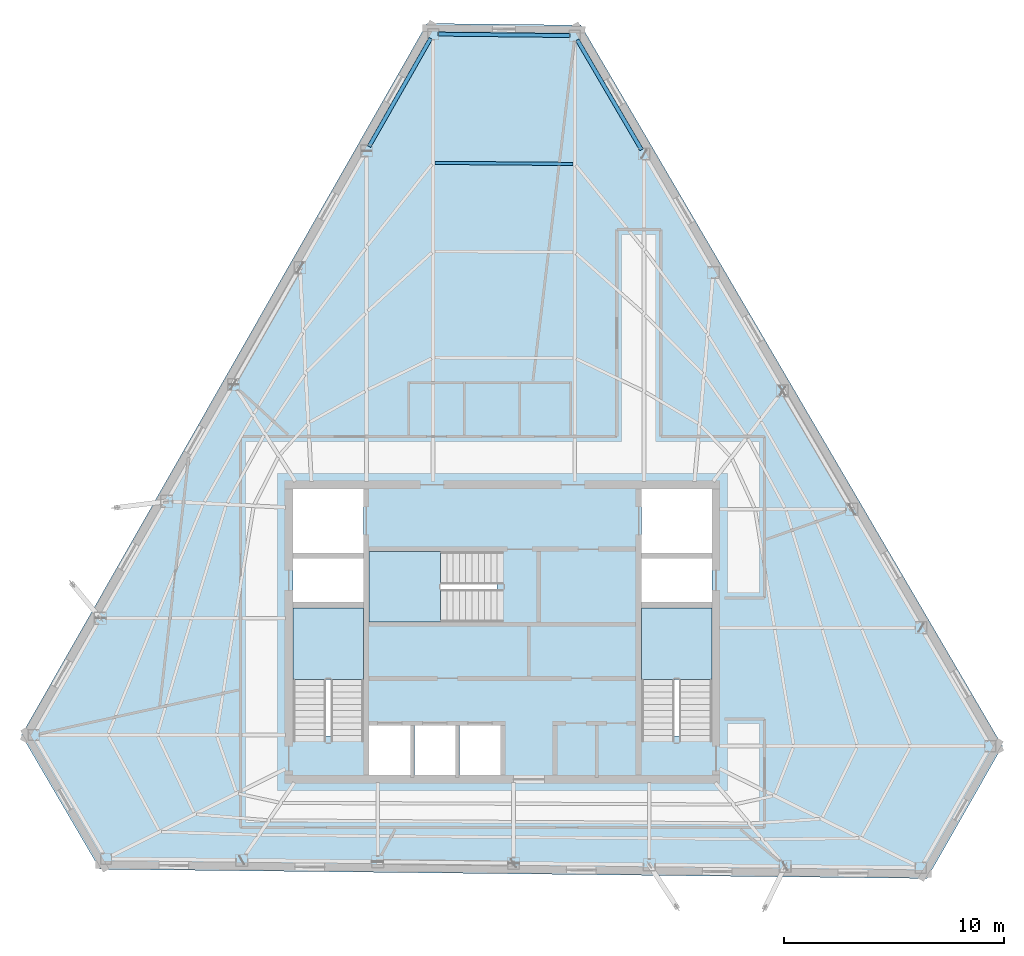
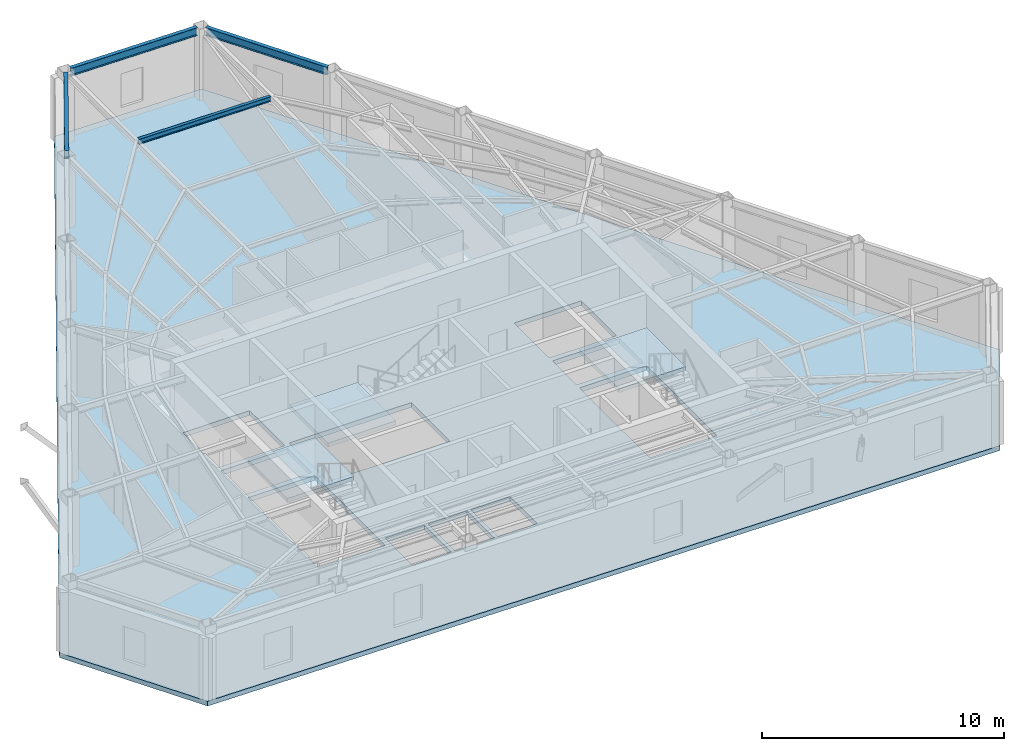
# One storey, part 3 of 11: 4 beams, 4 slabs, 3 elements without a shape of their own.
"""IFC4 building model written with IfcOpenShell, lengths in metres."""

import ifcopenshell
import ifcopenshell.guid

model = None  # the IFC model being written
_history = None  # IfcOwnerHistory: only IFC2X3 demands one
_inside = {}  # id of a spatial element -> (the spatial element, [elements in it])
_under = {}  # id of a project, library or spatial element -> (it, [spatial elements below it])
_declared = {}  # id of a project -> (the project, [libraries it declares])
_typed = {}  # id of a type object -> (the type object, [elements of that type])
_made_of = {}  # id of a material, layer set ... -> (it, [elements and type objects made of it])


def new_model(schema):
    """Start an empty IFC model of exactly this schema.

    Asked for "IFC4X3", IfcOpenShell would pick the latest addendum, in which some entities
    have other attributes; the version numbers below select the first issue.
    IFC2X3 requires an IfcOwnerHistory on every rooted entity: one is made here for all.
    """
    global model, _history
    if schema == "IFC4X3":
        model = ifcopenshell.file(schema_version=(4, 3, 0, 0))
    else:
        model = ifcopenshell.file(schema=schema)
    _inside.clear()
    _under.clear()
    _declared.clear()
    _typed.clear()
    _made_of.clear()
    _history = None
    if model.schema == "IFC2X3":
        org = make("IfcOrganization", Name="unknown")
        user = make(
            "IfcPersonAndOrganization",
            ThePerson=make("IfcPerson", FamilyName="unknown"),
            TheOrganization=org,
        )
        app = make(
            "IfcApplication",
            ApplicationDeveloper=org,
            Version="unknown",
            ApplicationFullName="unknown",
            ApplicationIdentifier="unknown",
        )
        _history = make(
            "IfcOwnerHistory",
            OwningUser=user,
            OwningApplication=app,
            ChangeAction="ADDED",
            CreationDate=0,
        )
    return model


def make(cls, **values):
    """One entity of the class cls with the attributes given. An attribute that is None is left unset."""
    return model.create_entity(
        cls, **{name: value for name, value in values.items() if value is not None}
    )


def rooted(cls, **values):
    """An entity with a GlobalId (a new one), such as an element, a storey or a relation."""
    return make(cls, GlobalId=ifcopenshell.guid.new(), OwnerHistory=_history, **values)


def si_unit(unit_type, name, prefix=None):
    """IfcSIUnit, for example si_unit("LENGTHUNIT", "METRE", prefix="MILLI")."""
    return make("IfcSIUnit", UnitType=unit_type, Prefix=prefix, Name=name)


def assignment(units):
    """IfcUnitAssignment: the units of a project."""
    return None if units is None else make("IfcUnitAssignment", Units=units)


def point(xyz):
    """IfcCartesianPoint."""
    return None if xyz is None else make("IfcCartesianPoint", Coordinates=xyz)


def direction(xyz):
    """IfcDirection."""
    return None if xyz is None else make("IfcDirection", DirectionRatios=xyz)


def frame(location, z_axis=None, x_axis=None):
    """IfcAxis2Placement3D, a coordinate frame: its origin and axes. An axis left out is left unset."""
    return make(
        "IfcAxis2Placement3D",
        Location=point(location),
        Axis=direction(z_axis),
        RefDirection=direction(x_axis),
    )


def frame_2d(location, x_axis=None):
    """IfcAxis2Placement2D, a coordinate frame in the plane: its origin and x axis."""
    return make(
        "IfcAxis2Placement2D", Location=point(location), RefDirection=direction(x_axis)
    )


def origin():
    """The frame at (0, 0, 0) with its axes left unset."""
    return frame((0.0, 0.0, 0.0))


def origin_2d():
    """The frame at (0, 0) in the plane with its x axis left unset."""
    return frame_2d((0.0, 0.0))


def place(relative_to, where):
    """IfcLocalPlacement: puts the frame where relative to a parent placement (None: the world)."""
    return make(
        "IfcLocalPlacement", PlacementRelTo=relative_to, RelativePlacement=where
    )


def context(
    kind, dimensions, precision=None, world=None, true_north=None, identifier=None
):
    """IfcGeometricRepresentationContext, for example the 3D "Model" context."""
    return make(
        "IfcGeometricRepresentationContext",
        ContextIdentifier=identifier,
        ContextType=kind,
        CoordinateSpaceDimension=dimensions,
        Precision=precision,
        WorldCoordinateSystem=world,
        TrueNorth=true_north,
    )


def subcontext(parent, identifier, kind, view, scale=None):
    """IfcGeometricRepresentationSubContext, for example "Body" below "Model"."""
    return make(
        "IfcGeometricRepresentationSubContext",
        ContextIdentifier=identifier,
        ContextType=kind,
        ParentContext=parent,
        TargetScale=scale,
        TargetView=view,
    )


def project(units=None, contexts=None):
    """IfcProject with its units and contexts."""
    return rooted(
        "IfcProject",
        Name="project",
        RepresentationContexts=contexts,
        UnitsInContext=assignment(units),
    )


def spatial(cls, under=None, at=None, **own):
    """A site, building, storey or space (cls), placed at a placement, below another one or the project."""
    s = rooted(cls, ObjectPlacement=at, **own)
    if under is not None:
        _under.setdefault(under.id(), (under, []))[1].append(s)
    return s


def polyline(points):
    """IfcPolyline through the points."""
    return make("IfcPolyline", Points=[point(p) for p in points])


def profile(cls, at=None, kind="AREA", **sizes):
    """A parametric profile (cls). Its sizes go by their IFC names, for example OverallWidth=200.0."""
    return make(cls, ProfileType=kind, Position=at, **sizes)


def i_section(**sizes):
    """IfcIShapeProfileDef."""
    return profile("IfcIShapeProfileDef", **sizes)


def outline(outer, holes=None, kind="AREA"):
    """IfcArbitraryClosedProfileDef: a profile drawn as a closed curve; with holes, ...WithVoids."""
    if holes is None:
        return make("IfcArbitraryClosedProfileDef", ProfileType=kind, OuterCurve=outer)
    return make(
        "IfcArbitraryProfileDefWithVoids",
        ProfileType=kind,
        OuterCurve=outer,
        InnerCurves=holes,
    )


def extrude(swept, where, along, depth):
    """IfcExtrudedAreaSolid: the profile swept, set in the frame where, extruded along a direction by depth."""
    return make(
        "IfcExtrudedAreaSolid",
        SweptArea=swept,
        Position=where,
        ExtrudedDirection=direction(along),
        Depth=depth,
    )


def shape(context_of_items, identifier, shape_type, items):
    """IfcShapeRepresentation: the items that make up one representation, for example the "Body"."""
    return make(
        "IfcShapeRepresentation",
        ContextOfItems=context_of_items,
        RepresentationIdentifier=identifier,
        RepresentationType=shape_type,
        Items=items,
    )


def material(Name=None, Category=None):
    """IfcMaterial."""
    return make("IfcMaterial", Name=Name, Category=Category)


def layer(
    of_material, thickness, ventilated=None, Name=None, Category=None, Priority=None
):
    """IfcMaterialLayer: one layer of a wall or slab, of a material (None: an air gap)."""
    return make(
        "IfcMaterialLayer",
        Material=of_material,
        LayerThickness=thickness,
        IsVentilated=ventilated,
        Name=Name,
        Category=Category,
        Priority=Priority,
    )


def layer_set(layers, Name=None):
    """IfcMaterialLayerSet."""
    return make("IfcMaterialLayerSet", MaterialLayers=layers, LayerSetName=Name)


def material_profile(
    of_material, cross_section, Name=None, Category=None, Priority=None
):
    """IfcMaterialProfile: a cross section and its material."""
    return make(
        "IfcMaterialProfile",
        Name=Name,
        Material=of_material,
        Profile=cross_section,
        Priority=Priority,
        Category=Category,
    )


def profile_set(profiles, Name=None, composite=None):
    """IfcMaterialProfileSet."""
    return make(
        "IfcMaterialProfileSet",
        Name=Name,
        MaterialProfiles=profiles,
        CompositeProfile=composite,
    )


def made_of(thing, what):
    """Note that an element or type object is made of a material, layer set ...; save() writes the relation."""
    if what is not None:
        _made_of.setdefault(what.id(), (what, []))[1].append(thing)
    return thing


def type_object(cls, material=None, **own):
    """A type object (cls), such as IfcWallType, which elements share."""
    return made_of(rooted(cls, **own), material)


def element(
    cls,
    number,
    at=None,
    inside=None,
    cuts=None,
    type_object=None,
    material=None,
    context=None,
    identifier="Body",
    shape_type=None,
    held_by="IfcProductDefinitionShape",
    body=None,
    shapes=None,
    **own,
):
    """One element of the class cls, such as IfcWall. Its Tag is "e" and its number.

    at: its placement. inside: the storey or other place that contains it. cuts: it is an
    opening in that element (IfcRelVoidsElement). A single representation is given by context,
    identifier, shape_type and body (its items); several are given by shapes. held_by: the class
    of the entity that holds the representations. save() writes the other relations.
    """
    e = rooted(cls, Tag="e%d" % number, ObjectPlacement=at, **own)
    if body is not None:
        shapes = [shape(context, identifier, shape_type, body)]
    if shapes is not None:
        e.Representation = make(held_by, Representations=shapes)
    if inside is not None:
        _inside.setdefault(inside.id(), (inside, []))[1].append(e)
    if cuts is not None:
        rooted(
            "IfcRelVoidsElement", RelatingBuildingElement=cuts, RelatedOpeningElement=e
        )
    if type_object is not None:
        _typed.setdefault(type_object.id(), (type_object, []))[1].append(e)
    return made_of(e, material)


def aggregate(whole, parts):
    """IfcRelAggregates: a whole, such as a stair, and the parts it consists of."""
    return rooted("IfcRelAggregates", RelatingObject=whole, RelatedObjects=parts)


def save(model, path):
    """Write the relations noted so far, then the file.

    IfcRelAggregates (storeys below a building ...), IfcRelContainedInSpatialStructure (elements
    in a storey), IfcRelDefinesByType, IfcRelAssociatesMaterial and IfcRelDeclares: one each for
    every whole, place, type object, material and project.
    """
    for whole, parts in _under.values():
        aggregate(whole, parts)
    for where, things in _inside.values():
        rooted(
            "IfcRelContainedInSpatialStructure",
            RelatedElements=things,
            RelatingStructure=where,
        )
    for kind, things in _typed.values():
        rooted("IfcRelDefinesByType", RelatedObjects=things, RelatingType=kind)
    for what, things in _made_of.values():
        rooted("IfcRelAssociatesMaterial", RelatedObjects=things, RelatingMaterial=what)
    for by, libraries in _declared.values():
        rooted("IfcRelDeclares", RelatingContext=by, RelatedDefinitions=libraries)
    model.write(path)


model = new_model("IFC4")

# Units and contexts
model_context = context("Model", 3, precision=1e-05, world=origin(), true_north=direction((0.0, 1.0)))
body_context = subcontext(model_context, "Body", "Model", "MODEL_VIEW")
ifc_project = project(units=[si_unit("LENGTHUNIT", "METRE"), si_unit("AREAUNIT", "SQUARE_METRE"), si_unit("VOLUMEUNIT", "CUBIC_METRE"), si_unit("PLANEANGLEUNIT", "RADIAN"), si_unit("MASSUNIT", "GRAM", prefix="KILO")], contexts=[model_context])

# Site, building, storey
site_placement = place(None, origin())
site = spatial("IfcSite", under=ifc_project, at=site_placement, CompositionType="ELEMENT")
building_placement = place(site_placement, origin())
building = spatial("IfcBuilding", under=site, at=building_placement, Name="Kavelnor Concourse Tower", CompositionType="ELEMENT")
storey_placement = place(building_placement, frame((0.0, 0.0, 258.75)))
storey = spatial("IfcBuildingStorey", under=building, at=storey_placement, Name="L65", CompositionType="ELEMENT", Elevation=258.75)

# Beams
ifc_material_1 = material(Name="Steel Grade 350", Category="steel")
ifc_material_profile_1 = material_profile(ifc_material_1, i_section(OverallWidth=0.14599609375, OverallDepth=0.256103515625, WebThickness=0.00634765625, FlangeThickness=0.010986328125, at=origin_2d()), Name="250UB37")
ifc_profile_set_1 = profile_set([ifc_material_profile_1], Name="Steel Grade 350")
beam_type_1 = type_object("IfcBeamType", Name="BM-JOIST-250", PredefinedType="JOIST", material=ifc_profile_set_1)
beam_1_placement = place(storey_placement, frame((41.206787109375, 37.381103515625, 3.48193359375), z_axis=(-0.999967599605, 0.008049828619, 0.0), x_axis=(-0.008049828619, -0.999967599605, 0.0)))
element("IfcBeam", 1, at=beam_1_placement, inside=storey, type_object=beam_type_1, Name="L65 Secondary Composite Joist 15-3", PredefinedType="JOIST", context=body_context, shape_type="SweptSolid", body=[
    extrude(i_section(OverallWidth=0.14599609375, OverallDepth=0.256103515625, WebThickness=0.00634765625, FlangeThickness=0.010986328125, at=origin_2d()), origin(), (0.0, 0.0, 1.0), 6.278076171875),
])
ifc_material_profile_2 = material_profile(ifc_material_1, i_section(OverallWidth=0.177978515625, OverallDepth=0.406005859375, WebThickness=0.0078125, FlangeThickness=0.0126953125, at=origin_2d()), Name="410UB59")
ifc_profile_set_2 = profile_set([ifc_material_profile_2], Name="Steel Grade 350")
beam_type_2 = type_object("IfcBeamType", Name="BM-SPANDREL-Z4", PredefinedType="SPANDREL", material=ifc_profile_set_2)
beam_2_placement = place(storey_placement, frame((34.735595703125, 43.0927734375, 3.406982421875), z_axis=(-0.495089497601, -0.868841981816, 0.0), x_axis=(0.868841981816, -0.495089497601, 0.0)))
element("IfcBeam", 2, at=beam_2_placement, inside=storey, type_object=beam_type_2, Name="L65 Perimeter Tube Spandrel Beam F0-B0", PredefinedType="SPANDREL", context=body_context, shape_type="SweptSolid", body=[
    extrude(i_section(OverallWidth=0.177978515625, OverallDepth=0.406005859375, WebThickness=0.0078125, FlangeThickness=0.0126953125, at=origin_2d()), origin(), (0.0, 0.0, 1.0), 5.6640625),
])
beam_3_placement = place(storey_placement, frame((41.063720703125, 43.218505859375, 3.406982421875), z_axis=(-0.999937226753, 0.011204577351, 0.0), x_axis=(-0.011204577351, -0.999937226753, 0.0)))
element("IfcBeam", 3, at=beam_3_placement, inside=storey, type_object=beam_type_2, Name="L65 Chamfer Facet Spandrel Beam C0", PredefinedType="SPANDREL", context=body_context, shape_type="SweptSolid", body=[
    extrude(i_section(OverallWidth=0.177978515625, OverallDepth=0.406005859375, WebThickness=0.0078125, FlangeThickness=0.0126953125, at=origin_2d()), origin(), (0.0, 0.0, 1.0), 5.9921875),
])
beam_4_placement = place(storey_placement, frame((44.32373046875, 38.02587890625, 3.406982421875), z_axis=(-0.504773006071, 0.86325211401, 0.0), x_axis=(-0.86325211401, -0.504773006071, 0.0)))
element("IfcBeam", 4, at=beam_4_placement, inside=storey, type_object=beam_type_2, Name="L65 Perimeter Tube Spandrel Beam F2-B5", PredefinedType="SPANDREL", context=body_context, shape_type="SweptSolid", body=[
    extrude(i_section(OverallWidth=0.177978515625, OverallDepth=0.406005859375, WebThickness=0.0078125, FlangeThickness=0.0126953125, at=origin_2d()), origin(), (0.0, 0.0, 1.0), 5.78759765625),
])

# Stair, slab
ifc_material_2 = material(Name="Concrete C40/50", Category="concrete")
stair_type = type_object("IfcStairType", Name="STR-CORE-1500", PredefinedType="HALF_TURN_STAIR", material=ifc_material_2)
stair_1_placement = place(storey_placement, origin())
stair_1 = element("IfcStair", 5, at=stair_1_placement, inside=storey, type_object=stair_type, Name="L65 ST1", PredefinedType="HALF_TURN_STAIR")
ifc_layer_1 = layer(ifc_material_2, 0.199951171875, Name="Concrete C40/50")
ifc_layer_set_1 = layer_set([ifc_layer_1], Name="Concrete C40/50")
slab_type_1 = type_object("IfcSlabType", Name="SLB-LANDING-200", PredefinedType="LANDING", material=ifc_layer_set_1)
slab_1_placement = place(storey_placement, frame((0.0, 0.0, 1.72509765625)))
slab_1 = element("IfcSlab", 6, at=slab_1_placement, type_object=slab_type_1, Name="ST1 landing 1", PredefinedType="LANDING", context=body_context, shape_type="SweptSolid", body=[
    extrude(outline(polyline([(31.679931640625, 13.949951171875), (31.679931640625, 17.199951171875), (28.47998046875, 17.199951171875), (28.47998046875, 13.949951171875), (31.679931640625, 13.949951171875)])), origin(), (0.0, 0.0, 1.0), 0.199951171875),
])
aggregate(stair_1, [slab_1])

stair_2_placement = place(storey_placement, origin())
stair_2 = element("IfcStair", 7, at=stair_2_placement, inside=storey, type_object=stair_type, Name="L65 ST2", PredefinedType="HALF_TURN_STAIR")
slab_2_placement = place(storey_placement, frame((0.0, 0.0, 1.72509765625)))
slab_2 = element("IfcSlab", 8, at=slab_2_placement, type_object=slab_type_1, Name="ST2 landing 1", PredefinedType="LANDING", context=body_context, shape_type="SweptSolid", body=[
    extrude(outline(polyline([(47.52001953125, 13.949951171875), (47.52001953125, 17.199951171875), (44.320068359375, 17.199951171875), (44.320068359375, 13.949951171875), (47.52001953125, 13.949951171875)])), origin(), (0.0, 0.0, 1.0), 0.199951171875),
])
aggregate(stair_2, [slab_2])

stair_3_placement = place(storey_placement, origin())
stair_3 = element("IfcStair", 9, at=stair_3_placement, inside=storey, type_object=stair_type, Name="L65 ST3", PredefinedType="HALF_TURN_STAIR")
slab_3_placement = place(storey_placement, frame((0.0, 0.0, 1.72509765625)))
slab_3 = element("IfcSlab", 10, at=slab_3_placement, type_object=slab_type_1, Name="ST3 landing 1", PredefinedType="LANDING", context=body_context, shape_type="SweptSolid", body=[
    extrude(outline(polyline([(35.18994140625, 19.760009765625), (31.93994140625, 19.760009765625), (31.93994140625, 16.56005859375), (35.18994140625, 16.56005859375), (35.18994140625, 19.760009765625)])), origin(), (0.0, 0.0, 1.0), 0.199951171875),
])
aggregate(stair_3, [slab_3])

# Slab
ifc_layer_2 = layer(ifc_material_2, 0.239990234375, Name="Concrete C40/50")
ifc_layer_set_2 = layer_set([ifc_layer_2], Name="Concrete C40/50")
slab_type_2 = type_object("IfcSlabType", Name="SLB-OFFICE-240", PredefinedType="FLOOR", material=ifc_layer_set_2)
slab_4_placement = place(storey_placement, frame((0.0, 0.0, -0.239990234375)))
element("IfcSlab", 11, at=slab_4_placement, inside=storey, type_object=slab_type_2, Name="L65 Composite Structural Floor Slab", PredefinedType="FLOOR", context=body_context, shape_type="SweptSolid", body=[
    extrude(outline(polyline([(41.56591796875, 43.693115234375), (34.569580078125, 43.771240234375), (16.130615234375, 11.4130859375), (19.69677734375, 5.31494140625), (57.303955078125, 4.893798828125), (60.734130859375, 10.913818359375), (41.56591796875, 43.693115234375)]), holes=[polyline([(28.47998046875, 11.3798828125), (31.679931640625, 11.3798828125), (31.679931640625, 17.199951171875), (28.47998046875, 17.199951171875), (28.47998046875, 11.3798828125)]), polyline([(44.320068359375, 11.3798828125), (47.52001953125, 11.3798828125), (47.52001953125, 17.199951171875), (44.320068359375, 17.199951171875), (44.320068359375, 11.3798828125)]), polyline([(31.93994140625, 16.56005859375), (37.760009765625, 16.56005859375), (37.760009765625, 19.760009765625), (31.93994140625, 19.760009765625), (31.93994140625, 16.56005859375)]), polyline([(28.47998046875, 19.699951171875), (31.679931640625, 19.699951171875), (31.679931640625, 22.60009765625), (28.47998046875, 22.60009765625), (28.47998046875, 19.699951171875)]), polyline([(44.320068359375, 19.699951171875), (47.52001953125, 19.699951171875), (47.52001953125, 22.60009765625), (44.320068359375, 22.60009765625), (44.320068359375, 19.699951171875)]), polyline([(31.93994140625, 9.60009765625), (33.81005859375, 9.60009765625), (33.81005859375, 11.840087890625), (31.93994140625, 11.840087890625), (31.93994140625, 9.60009765625)]), polyline([(33.989990234375, 9.60009765625), (35.860107421875, 9.60009765625), (35.860107421875, 11.840087890625), (33.989990234375, 11.840087890625), (33.989990234375, 9.60009765625)]), polyline([(36.0400390625, 9.60009765625), (37.909912109375, 9.60009765625), (37.909912109375, 11.840087890625), (36.0400390625, 11.840087890625), (36.0400390625, 9.60009765625)]), polyline([(28.47998046875, 17.4599609375), (31.679931640625, 17.4599609375), (31.679931640625, 19.43994140625), (28.47998046875, 19.43994140625), (28.47998046875, 17.4599609375)]), polyline([(44.320068359375, 17.4599609375), (47.52001953125, 17.4599609375), (47.52001953125, 19.43994140625), (44.320068359375, 19.43994140625), (44.320068359375, 17.4599609375)])]), origin(), (0.0, 0.0, 1.0), 0.239990234375),
])

save(model, "model.ifc")
